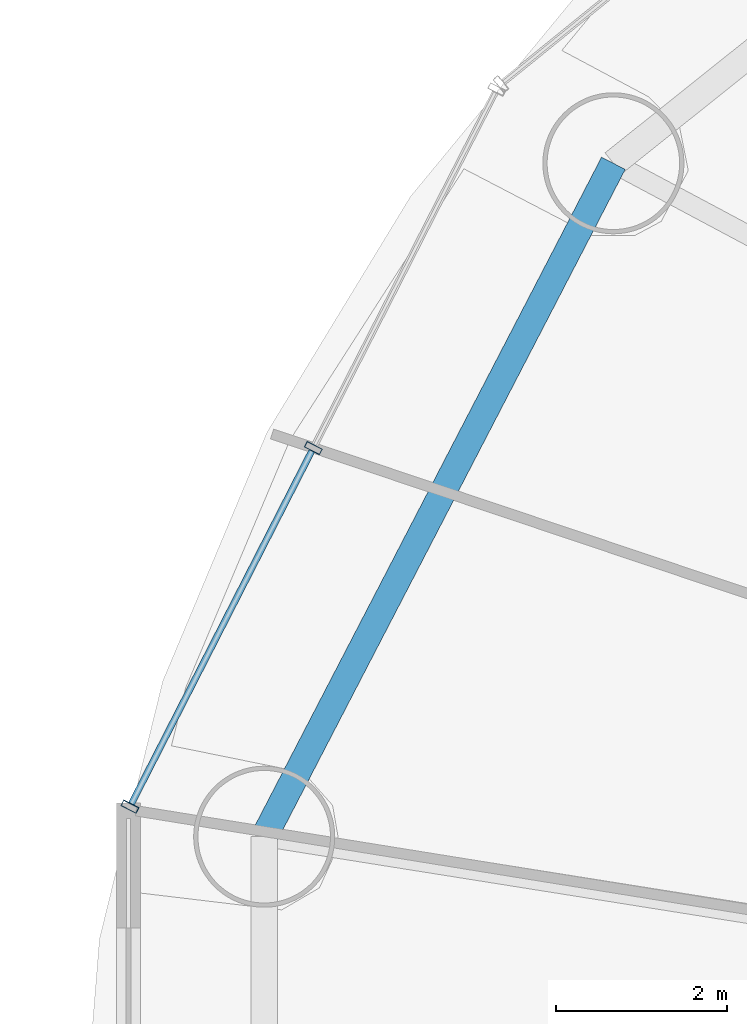
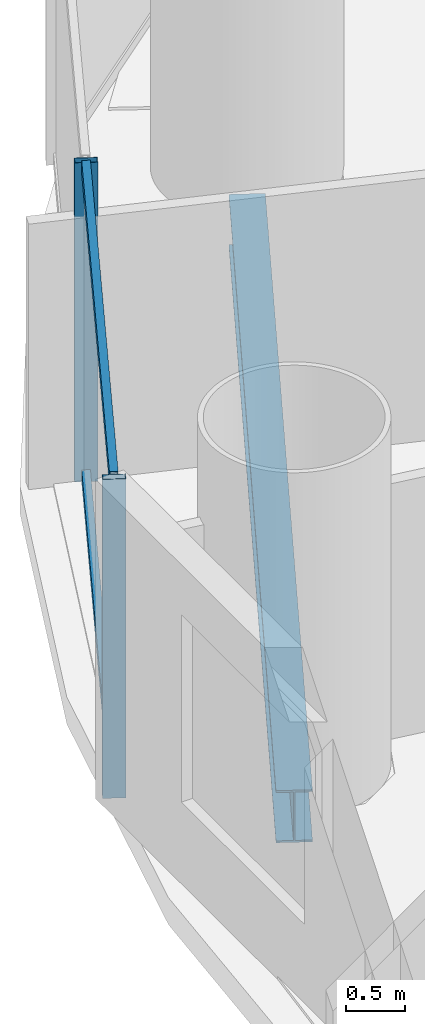
# One storey, part 6 of 28: 4 members, 1 beam, 1 element without a shape of its own.
"""IFC4 building model written with IfcOpenShell, lengths in metres."""

from ifc_helpers import new_model, si_unit, direction, frame, origin, origin_2d, place, context, subcontext, project, spatial, hollow_rectangle, i_section, extrude, source, transform, mapped, material, material_profile, profile_set, type_object, element, aggregate, save


model = new_model("IFC4")

# Units and contexts
model_context = context("Model", 3, precision=1e-05, world=origin(), true_north=direction((-0.2419218956, 0.970295726276)))
body_context = subcontext(model_context, "Body", "Model", "MODEL_VIEW")
ifc_project = project(units=[si_unit("LENGTHUNIT", "METRE"), si_unit("AREAUNIT", "SQUARE_METRE"), si_unit("VOLUMEUNIT", "CUBIC_METRE"), si_unit("PLANEANGLEUNIT", "RADIAN"), si_unit("MASSUNIT", "GRAM", prefix="KILO")], contexts=[model_context])

# Site, building, storey
site_placement = place(None, origin())
site = spatial("IfcSite", under=ifc_project, at=site_placement, CompositionType="ELEMENT")
building_placement = place(site_placement, origin())
building = spatial("IfcBuilding", under=site, at=building_placement, Name="Cobrevalo Terracotta Tower", CompositionType="ELEMENT")
storey_placement = place(building_placement, frame((0.0, 0.0, 38.39990234375)))
storey = spatial("IfcBuildingStorey", under=building, at=storey_placement, Name="L09", CompositionType="ELEMENT", Elevation=38.39990234375)

# Beam
ifc_material_1 = material(Name="Steel S355", Category="steel")
ifc_material_profile_1 = material_profile(ifc_material_1, i_section(OverallWidth=0.31201171875, OverallDepth=0.54296875, WebThickness=0.0126953125, FlangeThickness=0.020263671875, at=origin_2d()), Name="W 530x150")
ifc_profile_set_1 = profile_set([ifc_material_profile_1], Name="Steel S355")
beam_type = type_object("IfcBeamType", Name="Structural Spandrel W 530x150 (Steel S355)", PredefinedType="SPANDREL", material=ifc_profile_set_1)
beam_placement = place(storey_placement, frame((15.25927734375, 38.939208984375, -0.551513671875), z_axis=(-0.460285838799, -0.88777077368, 0.0), x_axis=(0.88777077368, -0.460285838799, 0.0)))
element("IfcBeam", 1, at=beam_placement, inside=storey, type_object=beam_type, Name="L09 perimeter ring spandrel 07", PredefinedType="SPANDREL", context=body_context, shape_type="SweptSolid", body=[
    extrude(i_section(OverallWidth=0.31201171875, OverallDepth=0.54296875, WebThickness=0.0126953125, FlangeThickness=0.020263671875, at=origin_2d()), origin(), (0.0, 0.0, 1.0), 8.8720703125),
])

# Curtain wall, members
ifc_material_2 = material(Name="Anodized aluminium", Category="aluminium")
curtain_wall_type = type_object("IfcCurtainWallType", Name="Lower-tower unitised acoustic low-E curtain wall CW-U1", PredefinedType="NOTDEFINED", material=ifc_material_2)
curtain_wall_placement = place(storey_placement, origin())
curtain_wall = element("IfcCurtainWall", 2, at=curtain_wall_placement, inside=storey, type_object=curtain_wall_type, Name="L09 curtain wall CW-L09-S07", PredefinedType="NOTDEFINED")
ifc_material_profile_2 = material_profile(ifc_material_2, hollow_rectangle(XDim=0.074951171875, YDim=0.199951171875, WallThickness=0.0048828125, at=origin_2d()), Name="CWM 75x200")
ifc_profile_set_2 = profile_set([ifc_material_profile_2], Name="Anodized aluminium")
member_type_1 = type_object("IfcMemberType", Name="Lower/mid tower unitised mullion 75x200", PredefinedType="MULLION", material=ifc_profile_set_2)
shared_shape_1 = source(origin(), body_context, "Body", "SweptSolid", [
    extrude(hollow_rectangle(XDim=0.074951171875, YDim=0.199951171875, WallThickness=0.0048828125, at=origin_2d()), origin(), (0.0, 0.0, 1.0), 3.320068359375),
])
member_1_placement = place(storey_placement, frame((11.74951171875, 35.60888671875, 0.0), z_axis=(0.0, 0.0, 1.0), x_axis=(-0.455234136597, -0.890371765543, 0.0)))
member_1 = element("IfcMember", 3, at=member_1_placement, type_object=member_type_1, Name="CW-L09-S07 vertical mullion 02", PredefinedType="MULLION", context=body_context, shape_type="MappedRepresentation", body=[
    mapped(shared_shape_1, transform((0.0, 0.0, 0.0), scale=1.0)),
])
member_2_placement = place(storey_placement, frame((9.60498046875, 31.414306640625, 0.0), z_axis=(0.0, 0.0, 1.0), x_axis=(-0.455234136597, -0.890371765543, 0.0)))
member_2 = element("IfcMember", 4, at=member_2_placement, type_object=member_type_1, Name="CW-L09-S07 vertical mullion 03", PredefinedType="MULLION", context=body_context, shape_type="MappedRepresentation", body=[
    mapped(shared_shape_1, transform((0.0, 0.0, 0.0), scale=1.0)),
])
ifc_material_profile_3 = material_profile(ifc_material_2, hollow_rectangle(XDim=0.074951171875, YDim=0.14990234375, WallThickness=0.00439453125, at=origin_2d()), Name="CWT 75x150")
ifc_profile_set_3 = profile_set([ifc_material_profile_3], Name="Anodized aluminium")
member_type_2 = type_object("IfcMemberType", Name="Tower unitised aluminium transom 75x150", PredefinedType="USERDEFINED", material=ifc_profile_set_3)
shared_shape_2 = source(origin(), body_context, "Body", "SweptSolid", [
    extrude(hollow_rectangle(XDim=0.074951171875, YDim=0.14990234375, WallThickness=0.00439453125, at=origin_2d()), origin(), (0.0, 0.0, 1.0), 4.631103515625),
])
member_3_placement = place(storey_placement, frame((11.731201171875, 35.573486328125, 0.050048828125), z_axis=(-0.455208584993, -0.890384829245, 0.0), x_axis=(0.890384829245, -0.455208584993, 0.0)))
member_3 = element("IfcMember", 5, at=member_3_placement, type_object=member_type_2, Name="CW-L09-S07 transom B02-T1", ObjectType="TRANSOM", PredefinedType="USERDEFINED", context=body_context, shape_type="MappedRepresentation", body=[
    mapped(shared_shape_2, transform((0.0, 0.0, 0.0), scale=1.0)),
])
member_4_placement = place(storey_placement, frame((11.731201171875, 35.573486328125, 3.27001953125), z_axis=(-0.455208584993, -0.890384829245, 0.0), x_axis=(0.890384829245, -0.455208584993, 0.0)))
member_4 = element("IfcMember", 6, at=member_4_placement, type_object=member_type_2, Name="CW-L09-S07 transom B02-T2", ObjectType="TRANSOM", PredefinedType="USERDEFINED", context=body_context, shape_type="MappedRepresentation", body=[
    mapped(shared_shape_2, transform((0.0, 0.0, 0.0), scale=1.0)),
])
aggregate(curtain_wall, [member_1, member_2, member_3, member_4])

save(model, "model.ifc")
